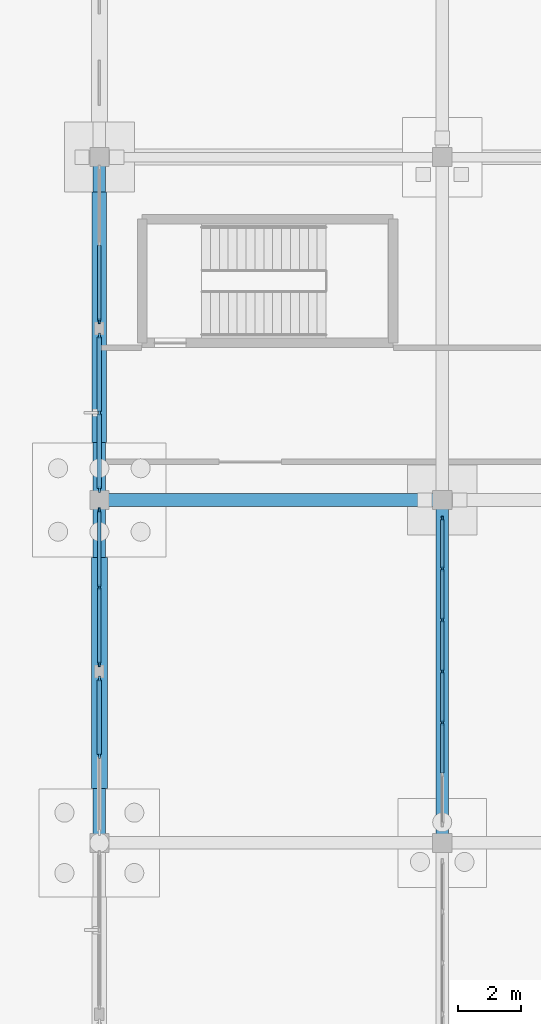
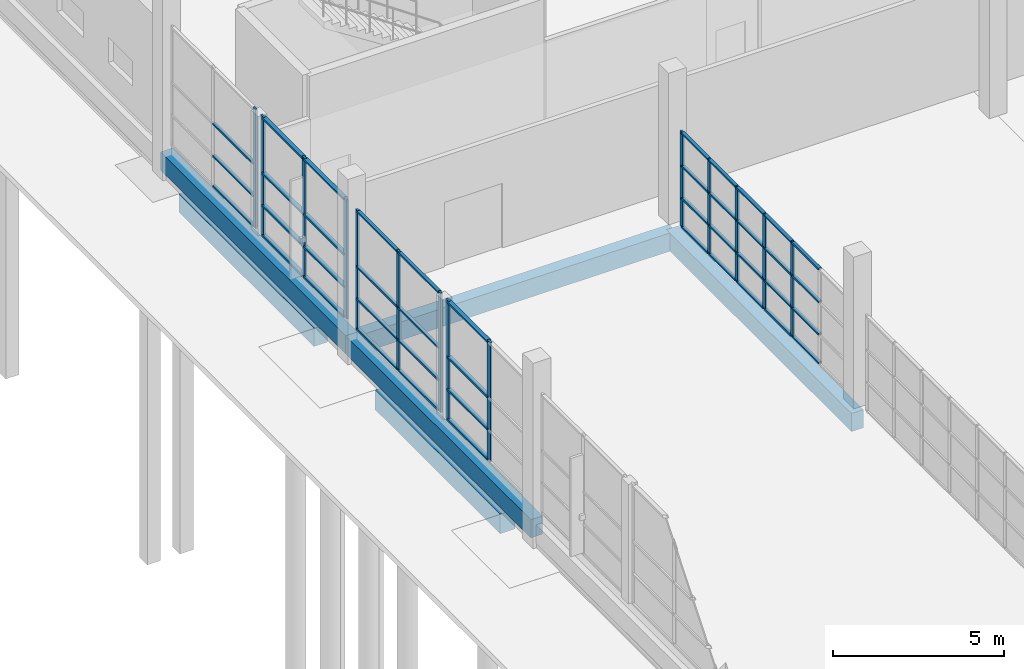
# One storey, part 41 of 138: 57 members, 6 beams, 5 elements without a shape of their own.
"""IFC4 building model written with IfcOpenShell, lengths in metres."""

from ifc_helpers import new_model, si_unit, direction, frame, origin, origin_2d, place, context, subcontext, project, spatial, rectangle, extrude, material, material_profile, profile_set, type_object, element, aggregate, save


model = new_model("IFC4")

# Units and contexts
model_context = context("Model", 3, precision=1e-05, world=origin(), true_north=direction((0.0, 1.0)))
body_context = subcontext(model_context, "Body", "Model", "MODEL_VIEW")
ifc_project = project(units=[si_unit("LENGTHUNIT", "METRE"), si_unit("AREAUNIT", "SQUARE_METRE"), si_unit("VOLUMEUNIT", "CUBIC_METRE"), si_unit("PLANEANGLEUNIT", "RADIAN"), si_unit("MASSUNIT", "GRAM", prefix="KILO")], contexts=[model_context])

# Site, building, storey
site_placement = place(None, origin())
site = spatial("IfcSite", under=ifc_project, at=site_placement, CompositionType="ELEMENT")
building_placement = place(site_placement, origin())
building = spatial("IfcBuilding", under=site, at=building_placement, Name="Zwinboog Wholesale Market", CompositionType="ELEMENT")
storey_placement = place(building_placement, origin())
storey = spatial("IfcBuildingStorey", under=building, at=storey_placement, Name="L00", CompositionType="ELEMENT", Elevation=0.0)

# Beams
ifc_material_1 = material(Name="Precast concrete C45/55", Category="concrete")
ifc_material_profile_1 = material_profile(ifc_material_1, rectangle(XDim=0.39990234375, YDim=0.64990234375, at=origin_2d()), Name="PC 400x650")
ifc_profile_set_1 = profile_set([ifc_material_profile_1], Name="Precast concrete C45/55")
beam_type_1 = type_object("IfcBeamType", Name="BT-05", PredefinedType="BEAM", material=ifc_profile_set_1)
beam_1_placement = place(storey_placement, frame((0.0, 86.39990234375, -0.705078125), z_axis=(1.0, 0.0, 0.0), x_axis=(0.0, 1.0, 0.0)))
element("IfcBeam", 1, at=beam_1_placement, inside=storey, type_object=beam_type_1, Name="BG-05 (BMG-L00-0000-0864-0115)", PredefinedType="BEAM", context=body_context, shape_type="SweptSolid", body=[
    extrude(rectangle(XDim=0.39990234375, YDim=0.64990234375, at=origin_2d()), origin(), (0.0, 0.0, 1.0), 10.800048828125),
])
beam_2_placement = place(storey_placement, frame((0.0, 75.60009765625, -0.705078125), z_axis=(0.0, 1.0, 0.0), x_axis=(-1.0, 0.0, 0.0)))
element("IfcBeam", 2, at=beam_2_placement, inside=storey, type_object=beam_type_1, Name="BG-05 (BMG-L00-0000-0756-0218)", PredefinedType="BEAM", context=body_context, shape_type="SweptSolid", body=[
    extrude(rectangle(XDim=0.39990234375, YDim=0.64990234375, at=origin_2d()), origin(), (0.0, 0.0, 1.0), 10.7998046875),
])
beam_3_placement = place(storey_placement, frame((0.0, 86.39990234375, -0.705078125), z_axis=(0.0, 1.0, 0.0), x_axis=(-1.0, 0.0, 0.0)))
element("IfcBeam", 3, at=beam_3_placement, inside=storey, type_object=beam_type_1, Name="BG-05 (BMG-L00-0000-0864-0219)", PredefinedType="BEAM", context=body_context, shape_type="SweptSolid", body=[
    extrude(rectangle(XDim=0.39990234375, YDim=0.64990234375, at=origin_2d()), origin(), (0.0, 0.0, 1.0), 10.800048828125),
])
beam_4_placement = place(storey_placement, frame((10.800048828125, 75.60009765625, -0.705078125), z_axis=(0.0, 1.0, 0.0), x_axis=(-1.0, 0.0, 0.0)))
element("IfcBeam", 4, at=beam_4_placement, inside=storey, type_object=beam_type_1, Name="BG-05 (BMG-L00-0108-0756-0230)", PredefinedType="BEAM", context=body_context, shape_type="SweptSolid", body=[
    extrude(rectangle(XDim=0.39990234375, YDim=0.64990234375, at=origin_2d()), origin(), (0.0, 0.0, 1.0), 10.7998046875),
])
ifc_material_2 = material(Name="Concrete C35/45", Category="concrete")
ifc_material_profile_2 = material_profile(ifc_material_2, rectangle(XDim=0.5, YDim=0.699951171875, at=origin_2d()), Name="RC 500x700")
ifc_profile_set_2 = profile_set([ifc_material_profile_2], Name="Concrete C35/45")
beam_type_2 = type_object("IfcBeamType", Name="BT-12", PredefinedType="USERDEFINED", material=ifc_profile_set_2)
beam_5_placement = place(storey_placement, frame((0.0, 77.304931640625, -1.550048828125), z_axis=(0.0, 1.0, 0.0), x_axis=(-1.0, 0.0, 0.0)))
element("IfcBeam", 5, at=beam_5_placement, inside=storey, type_object=beam_type_2, Name="GB-01 (BM-GB-0134)", ObjectType="GROUND_BEAM", PredefinedType="USERDEFINED", context=body_context, shape_type="SweptSolid", body=[
    extrude(rectangle(XDim=0.5, YDim=0.699951171875, at=origin_2d()), origin(), (0.0, 0.0, 1.0), 7.2900390625),
])
ifc_material_profile_3 = material_profile(ifc_material_2, rectangle(XDim=0.449951171875, YDim=0.64990234375, at=origin_2d()), Name="RC 450x650")
ifc_profile_set_3 = profile_set([ifc_material_profile_3], Name="Concrete C35/45")
beam_type_3 = type_object("IfcBeamType", Name="BT-13", PredefinedType="USERDEFINED", material=ifc_profile_set_3)
beam_6_placement = place(storey_placement, frame((0.0, 88.205078125, -1.52490234375), z_axis=(0.0, 1.0, 0.0), x_axis=(-1.0, 0.0, 0.0)))
element("IfcBeam", 6, at=beam_6_placement, inside=storey, type_object=beam_type_3, Name="GB-02 (BM-GB-0135)", ObjectType="GROUND_BEAM", PredefinedType="USERDEFINED", context=body_context, shape_type="SweptSolid", body=[
    extrude(rectangle(XDim=0.449951171875, YDim=0.64990234375, at=origin_2d()), origin(), (0.0, 0.0, 1.0), 7.889892578125),
])

# Curtain wall, members
ifc_material_3 = material(Name="Aluminium thermally broken curtain wall", Category="aluminium")
curtain_wall_type_1 = type_object("IfcCurtainWallType", Name="CWT-STALL-18", PredefinedType="USERDEFINED", material=ifc_material_3)
curtain_wall_1_placement = place(storey_placement, origin())
curtain_wall_1 = element("IfcCurtainWall", 7, at=curtain_wall_1_placement, inside=storey, type_object=curtain_wall_type_1, Name="CW-01 (CW-L00-013)", ObjectType="STOREFRONT_GLAZING", PredefinedType="USERDEFINED")
ifc_material_4 = material(Name="Aluminium EN AW-6060", Category="aluminium")
ifc_material_profile_4 = material_profile(ifc_material_4, rectangle(XDim=0.06494140625, YDim=0.179931640625, at=origin_2d()), Name="AL 65x180")
ifc_profile_set_4 = profile_set([ifc_material_profile_4], Name="Aluminium EN AW-6060")
member_type_1 = type_object("IfcMemberType", Name="CWM-65x180", PredefinedType="MULLION", material=ifc_profile_set_4)
member_1_placement = place(storey_placement, frame((0.0, 78.347412109375, 0.0), z_axis=(0.0, 0.0, 1.0), x_axis=(-1.0, 0.0, 0.0)))
member_1 = element("IfcMember", 8, at=member_1_placement, type_object=member_type_1, Name="CW-01 mullion 2", PredefinedType="MULLION", context=body_context, shape_type="SweptSolid", body=[
    extrude(rectangle(XDim=0.06494140625, YDim=0.179931640625, at=origin_2d()), origin(), (0.0, 0.0, 1.0), 4.25),
])
member_2_placement = place(storey_placement, frame((0.0, 80.767578125, 0.0), z_axis=(0.0, 0.0, 1.0), x_axis=(-1.0, 0.0, 0.0)))
member_2 = element("IfcMember", 9, at=member_2_placement, type_object=member_type_1, Name="CW-01 mullion 3", PredefinedType="MULLION", context=body_context, shape_type="SweptSolid", body=[
    extrude(rectangle(XDim=0.06494140625, YDim=0.179931640625, at=origin_2d()), origin(), (0.0, 0.0, 1.0), 4.25),
])

curtain_wall_type_2 = type_object("IfcCurtainWallType", Name="CWT-HALL-24", PredefinedType="USERDEFINED", material=ifc_material_3)
curtain_wall_2_placement = place(storey_placement, origin())
curtain_wall_2 = element("IfcCurtainWall", 10, at=curtain_wall_2_placement, inside=storey, type_object=curtain_wall_type_2, Name="CW-03 (CW-L00-015)", ObjectType="UNITIZED_CURTAIN_WALL", PredefinedType="USERDEFINED")
member_3_placement = place(storey_placement, frame((0.0, 86.7275390625, 0.0), z_axis=(0.0, 0.0, 1.0), x_axis=(-1.0, 0.0, 0.0)))
member_3 = element("IfcMember", 11, at=member_3_placement, type_object=member_type_1, Name="CW-03 mullion 1", PredefinedType="MULLION", context=body_context, shape_type="SweptSolid", body=[
    extrude(rectangle(XDim=0.06494140625, YDim=0.179931640625, at=origin_2d()), origin(), (0.0, 0.0, 1.0), 4.25),
])
member_4_placement = place(storey_placement, frame((0.0, 89.1474609375, 0.0), z_axis=(0.0, 0.0, 1.0), x_axis=(-1.0, 0.0, 0.0)))
member_4 = element("IfcMember", 12, at=member_4_placement, type_object=member_type_1, Name="CW-03 mullion 2", PredefinedType="MULLION", context=body_context, shape_type="SweptSolid", body=[
    extrude(rectangle(XDim=0.06494140625, YDim=0.179931640625, at=origin_2d()), origin(), (0.0, 0.0, 1.0), 4.25),
])
member_5_placement = place(storey_placement, frame((0.0, 91.5673828125, 0.0), z_axis=(0.0, 0.0, 1.0), x_axis=(-1.0, 0.0, 0.0)))
member_5 = element("IfcMember", 13, at=member_5_placement, type_object=member_type_1, Name="CW-03 mullion 3", PredefinedType="MULLION", context=body_context, shape_type="SweptSolid", body=[
    extrude(rectangle(XDim=0.06494140625, YDim=0.179931640625, at=origin_2d()), origin(), (0.0, 0.0, 1.0), 4.25),
])

curtain_wall_type_3 = type_object("IfcCurtainWallType", Name="CWT-STALL-20", PredefinedType="USERDEFINED", material=ifc_material_3)
curtain_wall_3_placement = place(storey_placement, origin())
curtain_wall_3 = element("IfcCurtainWall", 14, at=curtain_wall_3_placement, inside=storey, type_object=curtain_wall_type_3, Name="CW-02 (CW-L00-014)", ObjectType="STOREFRONT_GLAZING", PredefinedType="USERDEFINED")
ifc_material_profile_5 = material_profile(ifc_material_4, rectangle(XDim=0.06005859375, YDim=0.14990234375, at=origin_2d()), Name="AL 60x150")
ifc_profile_set_5 = profile_set([ifc_material_profile_5], Name="Aluminium EN AW-6060")
member_type_2 = type_object("IfcMemberType", Name="CWM-60x150", PredefinedType="MULLION", material=ifc_profile_set_5)
member_6_placement = place(storey_placement, frame((0.0, 81.22998046875, 0.0), z_axis=(0.0, 0.0, 1.0), x_axis=(-1.0, 0.0, 0.0)))
member_6 = element("IfcMember", 15, at=member_6_placement, type_object=member_type_2, Name="CW-02 mullion 1", PredefinedType="MULLION", context=body_context, shape_type="SweptSolid", body=[
    extrude(rectangle(XDim=0.06005859375, YDim=0.14990234375, at=origin_2d()), origin(), (0.0, 0.0, 1.0), 4.25),
])
member_7_placement = place(storey_placement, frame((0.0, 83.652587890625, 0.0), z_axis=(0.0, 0.0, 1.0), x_axis=(-1.0, 0.0, 0.0)))
member_7 = element("IfcMember", 16, at=member_7_placement, type_object=member_type_2, Name="CW-02 mullion 2", PredefinedType="MULLION", context=body_context, shape_type="SweptSolid", body=[
    extrude(rectangle(XDim=0.06005859375, YDim=0.14990234375, at=origin_2d()), origin(), (0.0, 0.0, 1.0), 4.25),
])
member_8_placement = place(storey_placement, frame((0.0, 86.074951171875, 0.0), z_axis=(0.0, 0.0, 1.0), x_axis=(-1.0, 0.0, 0.0)))
member_8 = element("IfcMember", 17, at=member_8_placement, type_object=member_type_2, Name="CW-02 mullion 3", PredefinedType="MULLION", context=body_context, shape_type="SweptSolid", body=[
    extrude(rectangle(XDim=0.06005859375, YDim=0.14990234375, at=origin_2d()), origin(), (0.0, 0.0, 1.0), 4.25),
])

# Curtain wall, member
curtain_wall_type_4 = type_object("IfcCurtainWallType", Name="CWT-GAL-16", PredefinedType="USERDEFINED", material=ifc_material_3)
curtain_wall_4_placement = place(storey_placement, origin())
curtain_wall_4 = element("IfcCurtainWall", 18, at=curtain_wall_4_placement, inside=storey, type_object=curtain_wall_type_4, Name="CW-04 (CW-L00-016)", ObjectType="UNITIZED_CURTAIN_WALL", PredefinedType="USERDEFINED")
member_9_placement = place(storey_placement, frame((0.0, 92.030029296875, 0.0), z_axis=(0.0, 0.0, 1.0), x_axis=(-1.0, 0.0, 0.0)))
member_9 = element("IfcMember", 19, at=member_9_placement, type_object=member_type_2, Name="CW-04 mullion 1", PredefinedType="MULLION", context=body_context, shape_type="SweptSolid", body=[
    extrude(rectangle(XDim=0.06005859375, YDim=0.14990234375, at=origin_2d()), origin(), (0.0, 0.0, 1.0), 4.25),
])

# Member
ifc_material_profile_6 = material_profile(ifc_material_4, rectangle(XDim=0.139892578125, YDim=0.06494140625, at=origin_2d()), Name="AL 65x140")
ifc_profile_set_6 = profile_set([ifc_material_profile_6], Name="Aluminium EN AW-6060")
member_type_3 = type_object("IfcMemberType", Name="CWT-65x140", PredefinedType="USERDEFINED", material=ifc_profile_set_6)
member_10_placement = place(storey_placement, frame((0.0, 78.3798828125, 0.032470703125), z_axis=(0.0, 1.0, 0.0), x_axis=(-1.0, 0.0, 0.0)))
member_10 = element("IfcMember", 20, at=member_10_placement, type_object=member_type_3, Name="CW-01 transom 2.1", ObjectType="TRANSOM", PredefinedType="USERDEFINED", context=body_context, shape_type="SweptSolid", body=[
    extrude(rectangle(XDim=0.139892578125, YDim=0.06494140625, at=origin_2d()), origin(), (0.0, 0.0, 1.0), 2.355224609375),
])

member_11_placement = place(storey_placement, frame((0.0, 78.3798828125, 1.10009765625), z_axis=(0.0, 1.0, 0.0), x_axis=(-1.0, 0.0, 0.0)))
member_11 = element("IfcMember", 21, at=member_11_placement, type_object=member_type_3, Name="CW-01 transom 2.2", ObjectType="TRANSOM", PredefinedType="USERDEFINED", context=body_context, shape_type="SweptSolid", body=[
    extrude(rectangle(XDim=0.139892578125, YDim=0.06494140625, at=origin_2d()), origin(), (0.0, 0.0, 1.0), 2.355224609375),
])

member_12_placement = place(storey_placement, frame((0.0, 78.3798828125, 2.25), z_axis=(0.0, 1.0, 0.0), x_axis=(-1.0, 0.0, 0.0)))
member_12 = element("IfcMember", 22, at=member_12_placement, type_object=member_type_3, Name="CW-01 transom 2.3", ObjectType="TRANSOM", PredefinedType="USERDEFINED", context=body_context, shape_type="SweptSolid", body=[
    extrude(rectangle(XDim=0.139892578125, YDim=0.06494140625, at=origin_2d()), origin(), (0.0, 0.0, 1.0), 2.355224609375),
])

member_13_placement = place(storey_placement, frame((0.0, 78.3798828125, 4.217529296875), z_axis=(0.0, 1.0, 0.0), x_axis=(-1.0, 0.0, 0.0)))
member_13 = element("IfcMember", 23, at=member_13_placement, type_object=member_type_3, Name="CW-01 transom 2.4", ObjectType="TRANSOM", PredefinedType="USERDEFINED", context=body_context, shape_type="SweptSolid", body=[
    extrude(rectangle(XDim=0.139892578125, YDim=0.06494140625, at=origin_2d()), origin(), (0.0, 0.0, 1.0), 2.355224609375),
])

aggregate(curtain_wall_1, [member_1, member_2, member_10, member_11, member_12, member_13])

member_14_placement = place(storey_placement, frame((0.0, 86.760009765625, 0.032470703125), z_axis=(0.0, 1.0, 0.0), x_axis=(-1.0, 0.0, 0.0)))
member_14 = element("IfcMember", 24, at=member_14_placement, type_object=member_type_3, Name="CW-03 transom 1.1", ObjectType="TRANSOM", PredefinedType="USERDEFINED", context=body_context, shape_type="SweptSolid", body=[
    extrude(rectangle(XDim=0.139892578125, YDim=0.06494140625, at=origin_2d()), origin(), (0.0, 0.0, 1.0), 2.35498046875),
])

member_15_placement = place(storey_placement, frame((0.0, 86.760009765625, 1.10009765625), z_axis=(0.0, 1.0, 0.0), x_axis=(-1.0, 0.0, 0.0)))
member_15 = element("IfcMember", 25, at=member_15_placement, type_object=member_type_3, Name="CW-03 transom 1.2", ObjectType="TRANSOM", PredefinedType="USERDEFINED", context=body_context, shape_type="SweptSolid", body=[
    extrude(rectangle(XDim=0.139892578125, YDim=0.06494140625, at=origin_2d()), origin(), (0.0, 0.0, 1.0), 2.35498046875),
])

member_16_placement = place(storey_placement, frame((0.0, 86.760009765625, 2.25), z_axis=(0.0, 1.0, 0.0), x_axis=(-1.0, 0.0, 0.0)))
member_16 = element("IfcMember", 26, at=member_16_placement, type_object=member_type_3, Name="CW-03 transom 1.3", ObjectType="TRANSOM", PredefinedType="USERDEFINED", context=body_context, shape_type="SweptSolid", body=[
    extrude(rectangle(XDim=0.139892578125, YDim=0.06494140625, at=origin_2d()), origin(), (0.0, 0.0, 1.0), 2.35498046875),
])

member_17_placement = place(storey_placement, frame((0.0, 86.760009765625, 4.217529296875), z_axis=(0.0, 1.0, 0.0), x_axis=(-1.0, 0.0, 0.0)))
member_17 = element("IfcMember", 27, at=member_17_placement, type_object=member_type_3, Name="CW-03 transom 1.4", ObjectType="TRANSOM", PredefinedType="USERDEFINED", context=body_context, shape_type="SweptSolid", body=[
    extrude(rectangle(XDim=0.139892578125, YDim=0.06494140625, at=origin_2d()), origin(), (0.0, 0.0, 1.0), 2.35498046875),
])

member_18_placement = place(storey_placement, frame((0.0, 89.179931640625, 0.032470703125), z_axis=(0.0, 1.0, 0.0), x_axis=(-1.0, 0.0, 0.0)))
member_18 = element("IfcMember", 28, at=member_18_placement, type_object=member_type_3, Name="CW-03 transom 2.1", ObjectType="TRANSOM", PredefinedType="USERDEFINED", context=body_context, shape_type="SweptSolid", body=[
    extrude(rectangle(XDim=0.139892578125, YDim=0.06494140625, at=origin_2d()), origin(), (0.0, 0.0, 1.0), 2.35498046875),
])

member_19_placement = place(storey_placement, frame((0.0, 89.179931640625, 1.10009765625), z_axis=(0.0, 1.0, 0.0), x_axis=(-1.0, 0.0, 0.0)))
member_19 = element("IfcMember", 29, at=member_19_placement, type_object=member_type_3, Name="CW-03 transom 2.2", ObjectType="TRANSOM", PredefinedType="USERDEFINED", context=body_context, shape_type="SweptSolid", body=[
    extrude(rectangle(XDim=0.139892578125, YDim=0.06494140625, at=origin_2d()), origin(), (0.0, 0.0, 1.0), 2.35498046875),
])

member_20_placement = place(storey_placement, frame((0.0, 89.179931640625, 2.25), z_axis=(0.0, 1.0, 0.0), x_axis=(-1.0, 0.0, 0.0)))
member_20 = element("IfcMember", 30, at=member_20_placement, type_object=member_type_3, Name="CW-03 transom 2.3", ObjectType="TRANSOM", PredefinedType="USERDEFINED", context=body_context, shape_type="SweptSolid", body=[
    extrude(rectangle(XDim=0.139892578125, YDim=0.06494140625, at=origin_2d()), origin(), (0.0, 0.0, 1.0), 2.35498046875),
])

member_21_placement = place(storey_placement, frame((0.0, 89.179931640625, 4.217529296875), z_axis=(0.0, 1.0, 0.0), x_axis=(-1.0, 0.0, 0.0)))
member_21 = element("IfcMember", 31, at=member_21_placement, type_object=member_type_3, Name="CW-03 transom 2.4", ObjectType="TRANSOM", PredefinedType="USERDEFINED", context=body_context, shape_type="SweptSolid", body=[
    extrude(rectangle(XDim=0.139892578125, YDim=0.06494140625, at=origin_2d()), origin(), (0.0, 0.0, 1.0), 2.35498046875),
])

aggregate(curtain_wall_2, [member_3, member_4, member_5, member_14, member_15, member_16, member_17, member_18, member_19, member_20, member_21])

ifc_material_profile_7 = material_profile(ifc_material_4, rectangle(XDim=0.110107421875, YDim=0.06005859375, at=origin_2d()), Name="AL 60x110")
ifc_profile_set_7 = profile_set([ifc_material_profile_7], Name="Aluminium EN AW-6060")
member_type_4 = type_object("IfcMemberType", Name="CWT-60x110", PredefinedType="USERDEFINED", material=ifc_profile_set_7)
member_22_placement = place(storey_placement, frame((0.0, 81.260009765625, 0.030029296875), z_axis=(0.0, 1.0, 0.0), x_axis=(-1.0, 0.0, 0.0)))
member_22 = element("IfcMember", 32, at=member_22_placement, type_object=member_type_4, Name="CW-02 transom 1.1", ObjectType="TRANSOM", PredefinedType="USERDEFINED", context=body_context, shape_type="SweptSolid", body=[
    extrude(rectangle(XDim=0.110107421875, YDim=0.06005859375, at=origin_2d()), origin(), (0.0, 0.0, 1.0), 2.362548828125),
])

member_23_placement = place(storey_placement, frame((0.0, 81.260009765625, 1.10009765625), z_axis=(0.0, 1.0, 0.0), x_axis=(-1.0, 0.0, 0.0)))
member_23 = element("IfcMember", 33, at=member_23_placement, type_object=member_type_4, Name="CW-02 transom 1.2", ObjectType="TRANSOM", PredefinedType="USERDEFINED", context=body_context, shape_type="SweptSolid", body=[
    extrude(rectangle(XDim=0.110107421875, YDim=0.06005859375, at=origin_2d()), origin(), (0.0, 0.0, 1.0), 2.362548828125),
])

member_24_placement = place(storey_placement, frame((0.0, 81.260009765625, 2.25), z_axis=(0.0, 1.0, 0.0), x_axis=(-1.0, 0.0, 0.0)))
member_24 = element("IfcMember", 34, at=member_24_placement, type_object=member_type_4, Name="CW-02 transom 1.3", ObjectType="TRANSOM", PredefinedType="USERDEFINED", context=body_context, shape_type="SweptSolid", body=[
    extrude(rectangle(XDim=0.110107421875, YDim=0.06005859375, at=origin_2d()), origin(), (0.0, 0.0, 1.0), 2.362548828125),
])

member_25_placement = place(storey_placement, frame((0.0, 81.260009765625, 4.219970703125), z_axis=(0.0, 1.0, 0.0), x_axis=(-1.0, 0.0, 0.0)))
member_25 = element("IfcMember", 35, at=member_25_placement, type_object=member_type_4, Name="CW-02 transom 1.4", ObjectType="TRANSOM", PredefinedType="USERDEFINED", context=body_context, shape_type="SweptSolid", body=[
    extrude(rectangle(XDim=0.110107421875, YDim=0.06005859375, at=origin_2d()), origin(), (0.0, 0.0, 1.0), 2.362548828125),
])

member_26_placement = place(storey_placement, frame((0.0, 83.6826171875, 0.030029296875), z_axis=(0.0, 1.0, 0.0), x_axis=(-1.0, 0.0, 0.0)))
member_26 = element("IfcMember", 36, at=member_26_placement, type_object=member_type_4, Name="CW-02 transom 2.1", ObjectType="TRANSOM", PredefinedType="USERDEFINED", context=body_context, shape_type="SweptSolid", body=[
    extrude(rectangle(XDim=0.110107421875, YDim=0.06005859375, at=origin_2d()), origin(), (0.0, 0.0, 1.0), 2.3623046875),
])

member_27_placement = place(storey_placement, frame((0.0, 83.6826171875, 1.10009765625), z_axis=(0.0, 1.0, 0.0), x_axis=(-1.0, 0.0, 0.0)))
member_27 = element("IfcMember", 37, at=member_27_placement, type_object=member_type_4, Name="CW-02 transom 2.2", ObjectType="TRANSOM", PredefinedType="USERDEFINED", context=body_context, shape_type="SweptSolid", body=[
    extrude(rectangle(XDim=0.110107421875, YDim=0.06005859375, at=origin_2d()), origin(), (0.0, 0.0, 1.0), 2.3623046875),
])

member_28_placement = place(storey_placement, frame((0.0, 83.6826171875, 2.25), z_axis=(0.0, 1.0, 0.0), x_axis=(-1.0, 0.0, 0.0)))
member_28 = element("IfcMember", 38, at=member_28_placement, type_object=member_type_4, Name="CW-02 transom 2.3", ObjectType="TRANSOM", PredefinedType="USERDEFINED", context=body_context, shape_type="SweptSolid", body=[
    extrude(rectangle(XDim=0.110107421875, YDim=0.06005859375, at=origin_2d()), origin(), (0.0, 0.0, 1.0), 2.3623046875),
])

member_29_placement = place(storey_placement, frame((0.0, 83.6826171875, 4.219970703125), z_axis=(0.0, 1.0, 0.0), x_axis=(-1.0, 0.0, 0.0)))
member_29 = element("IfcMember", 39, at=member_29_placement, type_object=member_type_4, Name="CW-02 transom 2.4", ObjectType="TRANSOM", PredefinedType="USERDEFINED", context=body_context, shape_type="SweptSolid", body=[
    extrude(rectangle(XDim=0.110107421875, YDim=0.06005859375, at=origin_2d()), origin(), (0.0, 0.0, 1.0), 2.3623046875),
])

aggregate(curtain_wall_3, [member_6, member_7, member_8, member_22, member_23, member_24, member_25, member_26, member_27, member_28, member_29])

member_30_placement = place(storey_placement, frame((0.0, 92.06005859375, 0.030029296875), z_axis=(0.0, 1.0, 0.0), x_axis=(-1.0, 0.0, 0.0)))
member_30 = element("IfcMember", 40, at=member_30_placement, type_object=member_type_4, Name="CW-04 transom 1.1", ObjectType="TRANSOM", PredefinedType="USERDEFINED", context=body_context, shape_type="SweptSolid", body=[
    extrude(rectangle(XDim=0.110107421875, YDim=0.06005859375, at=origin_2d()), origin(), (0.0, 0.0, 1.0), 2.362548828125),
])

member_31_placement = place(storey_placement, frame((0.0, 92.06005859375, 1.10009765625), z_axis=(0.0, 1.0, 0.0), x_axis=(-1.0, 0.0, 0.0)))
member_31 = element("IfcMember", 41, at=member_31_placement, type_object=member_type_4, Name="CW-04 transom 1.2", ObjectType="TRANSOM", PredefinedType="USERDEFINED", context=body_context, shape_type="SweptSolid", body=[
    extrude(rectangle(XDim=0.110107421875, YDim=0.06005859375, at=origin_2d()), origin(), (0.0, 0.0, 1.0), 2.362548828125),
])

member_32_placement = place(storey_placement, frame((0.0, 92.06005859375, 2.25), z_axis=(0.0, 1.0, 0.0), x_axis=(-1.0, 0.0, 0.0)))
member_32 = element("IfcMember", 42, at=member_32_placement, type_object=member_type_4, Name="CW-04 transom 1.3", ObjectType="TRANSOM", PredefinedType="USERDEFINED", context=body_context, shape_type="SweptSolid", body=[
    extrude(rectangle(XDim=0.110107421875, YDim=0.06005859375, at=origin_2d()), origin(), (0.0, 0.0, 1.0), 2.362548828125),
])

aggregate(curtain_wall_4, [member_9, member_30, member_31, member_32])

# Curtain wall, members
curtain_wall_type_5 = type_object("IfcCurtainWallType", Name="CWT-INT-STALL", PredefinedType="USERDEFINED", material=ifc_material_3)
curtain_wall_5_placement = place(storey_placement, origin())
curtain_wall_5 = element("IfcCurtainWall", 43, at=curtain_wall_5_placement, inside=storey, type_object=curtain_wall_type_5, Name="CW-07 (CW-STL-216)", ObjectType="STOREFRONT_GLAZING", PredefinedType="USERDEFINED")
ifc_material_profile_8 = material_profile(ifc_material_4, rectangle(XDim=0.06005859375, YDim=0.14990234375, at=origin_2d()), Name="AL 60x150")
ifc_profile_set_8 = profile_set([ifc_material_profile_8], Name="Aluminium EN AW-6060")
member_type_5 = type_object("IfcMemberType", Name="CWM-INT-60x120", PredefinedType="MULLION", material=ifc_profile_set_8)
member_33_placement = place(storey_placement, frame((10.800048828125, 79.38330078125, 0.0), z_axis=(0.0, 0.0, 1.0), x_axis=(-1.0, 0.0, 0.0)))
member_33 = element("IfcMember", 44, at=member_33_placement, type_object=member_type_5, Name="CW-07 mullion 3", PredefinedType="MULLION", context=body_context, shape_type="SweptSolid", body=[
    extrude(rectangle(XDim=0.06005859375, YDim=0.14990234375, at=origin_2d()), origin(), (0.0, 0.0, 1.0), 3.39990234375),
])
member_34_placement = place(storey_placement, frame((10.800048828125, 81.0, 0.0), z_axis=(0.0, 0.0, 1.0), x_axis=(-1.0, 0.0, 0.0)))
member_34 = element("IfcMember", 45, at=member_34_placement, type_object=member_type_5, Name="CW-07 mullion 4", PredefinedType="MULLION", context=body_context, shape_type="SweptSolid", body=[
    extrude(rectangle(XDim=0.06005859375, YDim=0.14990234375, at=origin_2d()), origin(), (0.0, 0.0, 1.0), 3.39990234375),
])
member_35_placement = place(storey_placement, frame((10.800048828125, 82.61669921875, 0.0), z_axis=(0.0, 0.0, 1.0), x_axis=(-1.0, 0.0, 0.0)))
member_35 = element("IfcMember", 46, at=member_35_placement, type_object=member_type_5, Name="CW-07 mullion 5", PredefinedType="MULLION", context=body_context, shape_type="SweptSolid", body=[
    extrude(rectangle(XDim=0.06005859375, YDim=0.14990234375, at=origin_2d()), origin(), (0.0, 0.0, 1.0), 3.39990234375),
])
member_36_placement = place(storey_placement, frame((10.800048828125, 84.2333984375, 0.0), z_axis=(0.0, 0.0, 1.0), x_axis=(-1.0, 0.0, 0.0)))
member_36 = element("IfcMember", 47, at=member_36_placement, type_object=member_type_5, Name="CW-07 mullion 6", PredefinedType="MULLION", context=body_context, shape_type="SweptSolid", body=[
    extrude(rectangle(XDim=0.06005859375, YDim=0.14990234375, at=origin_2d()), origin(), (0.0, 0.0, 1.0), 3.39990234375),
])
member_37_placement = place(storey_placement, frame((10.800048828125, 85.820068359375, 0.0), z_axis=(0.0, 0.0, 1.0), x_axis=(-1.0, 0.0, 0.0)))
member_37 = element("IfcMember", 48, at=member_37_placement, type_object=member_type_5, Name="CW-07 mullion 7", PredefinedType="MULLION", context=body_context, shape_type="SweptSolid", body=[
    extrude(rectangle(XDim=0.06005859375, YDim=0.14990234375, at=origin_2d()), origin(), (0.0, 0.0, 1.0), 3.39990234375),
])
ifc_material_profile_9 = material_profile(ifc_material_4, rectangle(XDim=0.110107421875, YDim=0.06005859375, at=origin_2d()), Name="AL 60x110")
ifc_profile_set_9 = profile_set([ifc_material_profile_9], Name="Aluminium EN AW-6060")
member_type_6 = type_object("IfcMemberType", Name="CWT-INT-60x100", PredefinedType="USERDEFINED", material=ifc_profile_set_9)
member_38_placement = place(storey_placement, frame((10.800048828125, 77.796630859375, 0.030029296875), z_axis=(0.0, 1.0, 0.0), x_axis=(-1.0, 0.0, 0.0)))
member_38 = element("IfcMember", 49, at=member_38_placement, type_object=member_type_6, Name="CW-07 transom 2.1", ObjectType="TRANSOM", PredefinedType="USERDEFINED", context=body_context, shape_type="SweptSolid", body=[
    extrude(rectangle(XDim=0.110107421875, YDim=0.06005859375, at=origin_2d()), origin(), (0.0, 0.0, 1.0), 1.556640625),
])
member_39_placement = place(storey_placement, frame((10.800048828125, 77.796630859375, 1.050048828125), z_axis=(0.0, 1.0, 0.0), x_axis=(-1.0, 0.0, 0.0)))
member_39 = element("IfcMember", 50, at=member_39_placement, type_object=member_type_6, Name="CW-07 transom 2.2", ObjectType="TRANSOM", PredefinedType="USERDEFINED", context=body_context, shape_type="SweptSolid", body=[
    extrude(rectangle(XDim=0.110107421875, YDim=0.06005859375, at=origin_2d()), origin(), (0.0, 0.0, 1.0), 1.556640625),
])
member_40_placement = place(storey_placement, frame((10.800048828125, 77.796630859375, 2.199951171875), z_axis=(0.0, 1.0, 0.0), x_axis=(-1.0, 0.0, 0.0)))
member_40 = element("IfcMember", 51, at=member_40_placement, type_object=member_type_6, Name="CW-07 transom 2.3", ObjectType="TRANSOM", PredefinedType="USERDEFINED", context=body_context, shape_type="SweptSolid", body=[
    extrude(rectangle(XDim=0.110107421875, YDim=0.06005859375, at=origin_2d()), origin(), (0.0, 0.0, 1.0), 1.556640625),
])
member_41_placement = place(storey_placement, frame((10.800048828125, 77.796630859375, 3.3701171875), z_axis=(0.0, 1.0, 0.0), x_axis=(-1.0, 0.0, 0.0)))
member_41 = element("IfcMember", 52, at=member_41_placement, type_object=member_type_6, Name="CW-07 transom 2.4", ObjectType="TRANSOM", PredefinedType="USERDEFINED", context=body_context, shape_type="SweptSolid", body=[
    extrude(rectangle(XDim=0.110107421875, YDim=0.06005859375, at=origin_2d()), origin(), (0.0, 0.0, 1.0), 1.556640625),
])
member_42_placement = place(storey_placement, frame((10.800048828125, 79.413330078125, 0.030029296875), z_axis=(0.0, 1.0, 0.0), x_axis=(-1.0, 0.0, 0.0)))
member_42 = element("IfcMember", 53, at=member_42_placement, type_object=member_type_6, Name="CW-07 transom 3.1", ObjectType="TRANSOM", PredefinedType="USERDEFINED", context=body_context, shape_type="SweptSolid", body=[
    extrude(rectangle(XDim=0.110107421875, YDim=0.06005859375, at=origin_2d()), origin(), (0.0, 0.0, 1.0), 1.556640625),
])
member_43_placement = place(storey_placement, frame((10.800048828125, 79.413330078125, 1.050048828125), z_axis=(0.0, 1.0, 0.0), x_axis=(-1.0, 0.0, 0.0)))
member_43 = element("IfcMember", 54, at=member_43_placement, type_object=member_type_6, Name="CW-07 transom 3.2", ObjectType="TRANSOM", PredefinedType="USERDEFINED", context=body_context, shape_type="SweptSolid", body=[
    extrude(rectangle(XDim=0.110107421875, YDim=0.06005859375, at=origin_2d()), origin(), (0.0, 0.0, 1.0), 1.556640625),
])
member_44_placement = place(storey_placement, frame((10.800048828125, 79.413330078125, 2.199951171875), z_axis=(0.0, 1.0, 0.0), x_axis=(-1.0, 0.0, 0.0)))
member_44 = element("IfcMember", 55, at=member_44_placement, type_object=member_type_6, Name="CW-07 transom 3.3", ObjectType="TRANSOM", PredefinedType="USERDEFINED", context=body_context, shape_type="SweptSolid", body=[
    extrude(rectangle(XDim=0.110107421875, YDim=0.06005859375, at=origin_2d()), origin(), (0.0, 0.0, 1.0), 1.556640625),
])
member_45_placement = place(storey_placement, frame((10.800048828125, 79.413330078125, 3.3701171875), z_axis=(0.0, 1.0, 0.0), x_axis=(-1.0, 0.0, 0.0)))
member_45 = element("IfcMember", 56, at=member_45_placement, type_object=member_type_6, Name="CW-07 transom 3.4", ObjectType="TRANSOM", PredefinedType="USERDEFINED", context=body_context, shape_type="SweptSolid", body=[
    extrude(rectangle(XDim=0.110107421875, YDim=0.06005859375, at=origin_2d()), origin(), (0.0, 0.0, 1.0), 1.556640625),
])
member_46_placement = place(storey_placement, frame((10.800048828125, 81.030029296875, 0.030029296875), z_axis=(0.0, 1.0, 0.0), x_axis=(-1.0, 0.0, 0.0)))
member_46 = element("IfcMember", 57, at=member_46_placement, type_object=member_type_6, Name="CW-07 transom 4.1", ObjectType="TRANSOM", PredefinedType="USERDEFINED", context=body_context, shape_type="SweptSolid", body=[
    extrude(rectangle(XDim=0.110107421875, YDim=0.06005859375, at=origin_2d()), origin(), (0.0, 0.0, 1.0), 1.556640625),
])
member_47_placement = place(storey_placement, frame((10.800048828125, 81.030029296875, 1.050048828125), z_axis=(0.0, 1.0, 0.0), x_axis=(-1.0, 0.0, 0.0)))
member_47 = element("IfcMember", 58, at=member_47_placement, type_object=member_type_6, Name="CW-07 transom 4.2", ObjectType="TRANSOM", PredefinedType="USERDEFINED", context=body_context, shape_type="SweptSolid", body=[
    extrude(rectangle(XDim=0.110107421875, YDim=0.06005859375, at=origin_2d()), origin(), (0.0, 0.0, 1.0), 1.556640625),
])
member_48_placement = place(storey_placement, frame((10.800048828125, 81.030029296875, 2.199951171875), z_axis=(0.0, 1.0, 0.0), x_axis=(-1.0, 0.0, 0.0)))
member_48 = element("IfcMember", 59, at=member_48_placement, type_object=member_type_6, Name="CW-07 transom 4.3", ObjectType="TRANSOM", PredefinedType="USERDEFINED", context=body_context, shape_type="SweptSolid", body=[
    extrude(rectangle(XDim=0.110107421875, YDim=0.06005859375, at=origin_2d()), origin(), (0.0, 0.0, 1.0), 1.556640625),
])
member_49_placement = place(storey_placement, frame((10.800048828125, 81.030029296875, 3.3701171875), z_axis=(0.0, 1.0, 0.0), x_axis=(-1.0, 0.0, 0.0)))
member_49 = element("IfcMember", 60, at=member_49_placement, type_object=member_type_6, Name="CW-07 transom 4.4", ObjectType="TRANSOM", PredefinedType="USERDEFINED", context=body_context, shape_type="SweptSolid", body=[
    extrude(rectangle(XDim=0.110107421875, YDim=0.06005859375, at=origin_2d()), origin(), (0.0, 0.0, 1.0), 1.556640625),
])
member_50_placement = place(storey_placement, frame((10.800048828125, 82.646728515625, 0.030029296875), z_axis=(0.0, 1.0, 0.0), x_axis=(-1.0, 0.0, 0.0)))
member_50 = element("IfcMember", 61, at=member_50_placement, type_object=member_type_6, Name="CW-07 transom 5.1", ObjectType="TRANSOM", PredefinedType="USERDEFINED", context=body_context, shape_type="SweptSolid", body=[
    extrude(rectangle(XDim=0.110107421875, YDim=0.06005859375, at=origin_2d()), origin(), (0.0, 0.0, 1.0), 1.556640625),
])
member_51_placement = place(storey_placement, frame((10.800048828125, 82.646728515625, 1.050048828125), z_axis=(0.0, 1.0, 0.0), x_axis=(-1.0, 0.0, 0.0)))
member_51 = element("IfcMember", 62, at=member_51_placement, type_object=member_type_6, Name="CW-07 transom 5.2", ObjectType="TRANSOM", PredefinedType="USERDEFINED", context=body_context, shape_type="SweptSolid", body=[
    extrude(rectangle(XDim=0.110107421875, YDim=0.06005859375, at=origin_2d()), origin(), (0.0, 0.0, 1.0), 1.556640625),
])
member_52_placement = place(storey_placement, frame((10.800048828125, 82.646728515625, 2.199951171875), z_axis=(0.0, 1.0, 0.0), x_axis=(-1.0, 0.0, 0.0)))
member_52 = element("IfcMember", 63, at=member_52_placement, type_object=member_type_6, Name="CW-07 transom 5.3", ObjectType="TRANSOM", PredefinedType="USERDEFINED", context=body_context, shape_type="SweptSolid", body=[
    extrude(rectangle(XDim=0.110107421875, YDim=0.06005859375, at=origin_2d()), origin(), (0.0, 0.0, 1.0), 1.556640625),
])
member_53_placement = place(storey_placement, frame((10.800048828125, 82.646728515625, 3.3701171875), z_axis=(0.0, 1.0, 0.0), x_axis=(-1.0, 0.0, 0.0)))
member_53 = element("IfcMember", 64, at=member_53_placement, type_object=member_type_6, Name="CW-07 transom 5.4", ObjectType="TRANSOM", PredefinedType="USERDEFINED", context=body_context, shape_type="SweptSolid", body=[
    extrude(rectangle(XDim=0.110107421875, YDim=0.06005859375, at=origin_2d()), origin(), (0.0, 0.0, 1.0), 1.556640625),
])
member_54_placement = place(storey_placement, frame((10.800048828125, 84.263427734375, 0.030029296875), z_axis=(0.0, 1.0, 0.0), x_axis=(-1.0, 0.0, 0.0)))
member_54 = element("IfcMember", 65, at=member_54_placement, type_object=member_type_6, Name="CW-07 transom 6.1", ObjectType="TRANSOM", PredefinedType="USERDEFINED", context=body_context, shape_type="SweptSolid", body=[
    extrude(rectangle(XDim=0.110107421875, YDim=0.06005859375, at=origin_2d()), origin(), (0.0, 0.0, 1.0), 1.526611328125),
])
member_55_placement = place(storey_placement, frame((10.800048828125, 84.263427734375, 1.050048828125), z_axis=(0.0, 1.0, 0.0), x_axis=(-1.0, 0.0, 0.0)))
member_55 = element("IfcMember", 66, at=member_55_placement, type_object=member_type_6, Name="CW-07 transom 6.2", ObjectType="TRANSOM", PredefinedType="USERDEFINED", context=body_context, shape_type="SweptSolid", body=[
    extrude(rectangle(XDim=0.110107421875, YDim=0.06005859375, at=origin_2d()), origin(), (0.0, 0.0, 1.0), 1.526611328125),
])
member_56_placement = place(storey_placement, frame((10.800048828125, 84.263427734375, 2.199951171875), z_axis=(0.0, 1.0, 0.0), x_axis=(-1.0, 0.0, 0.0)))
member_56 = element("IfcMember", 67, at=member_56_placement, type_object=member_type_6, Name="CW-07 transom 6.3", ObjectType="TRANSOM", PredefinedType="USERDEFINED", context=body_context, shape_type="SweptSolid", body=[
    extrude(rectangle(XDim=0.110107421875, YDim=0.06005859375, at=origin_2d()), origin(), (0.0, 0.0, 1.0), 1.526611328125),
])
member_57_placement = place(storey_placement, frame((10.800048828125, 84.263427734375, 3.3701171875), z_axis=(0.0, 1.0, 0.0), x_axis=(-1.0, 0.0, 0.0)))
member_57 = element("IfcMember", 68, at=member_57_placement, type_object=member_type_6, Name="CW-07 transom 6.4", ObjectType="TRANSOM", PredefinedType="USERDEFINED", context=body_context, shape_type="SweptSolid", body=[
    extrude(rectangle(XDim=0.110107421875, YDim=0.06005859375, at=origin_2d()), origin(), (0.0, 0.0, 1.0), 1.526611328125),
])
aggregate(curtain_wall_5, [member_33, member_34, member_35, member_36, member_37, member_38, member_39, member_40, member_41, member_42, member_43, member_44, member_45, member_46, member_47, member_48, member_49, member_50, member_51, member_52, member_53, member_54, member_55, member_56, member_57])

save(model, "model.ifc")
